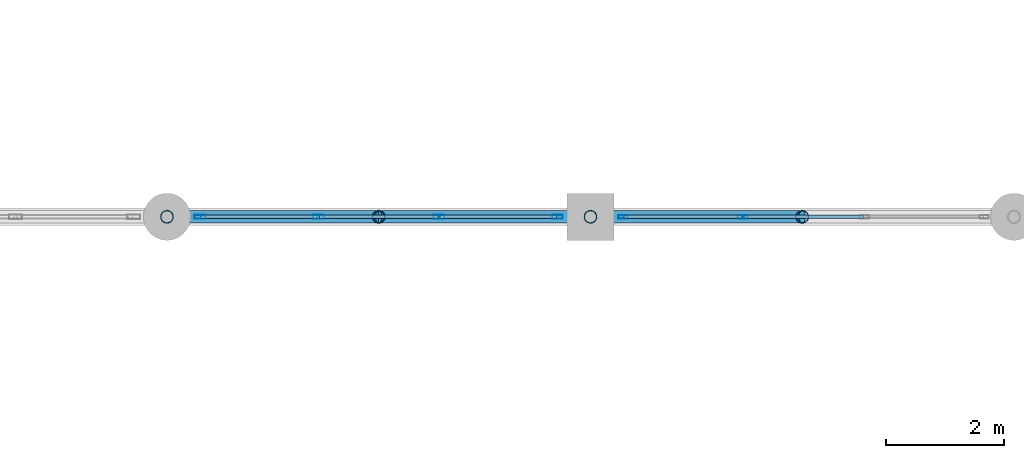
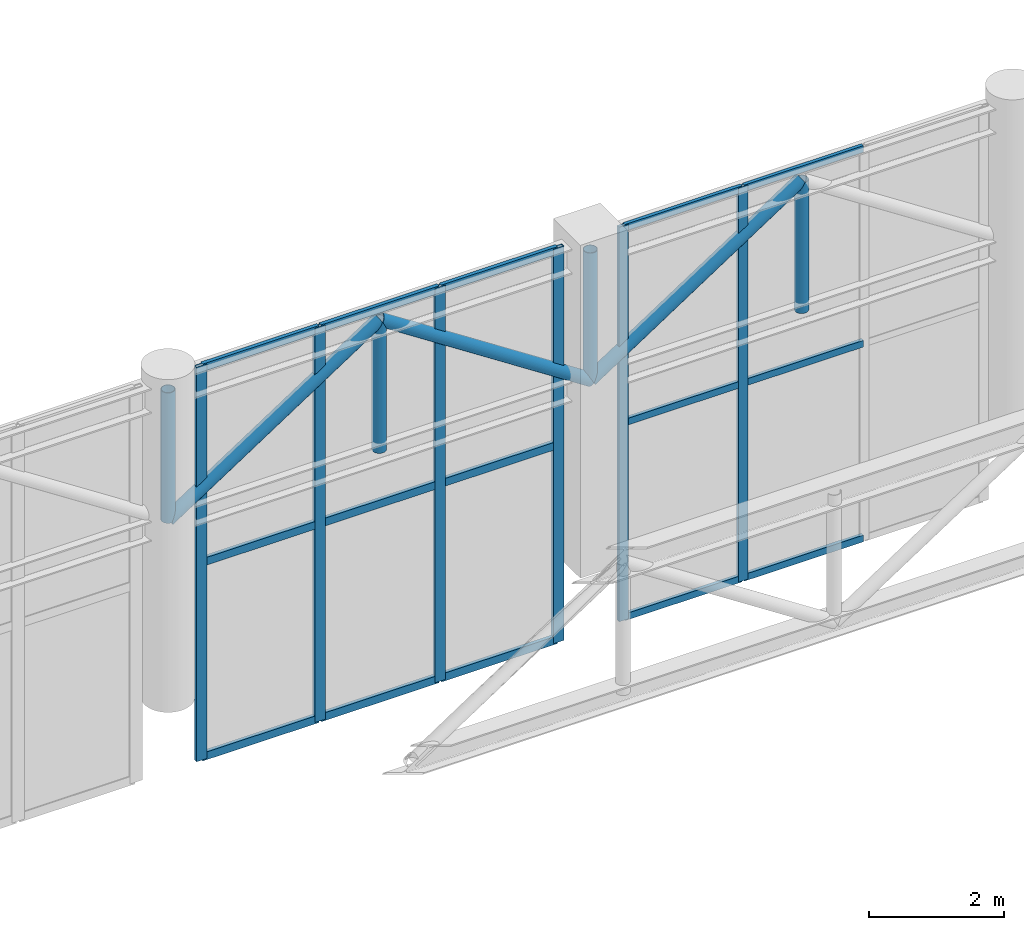
# One storey, part 104 of 153: 28 members, 2 elements without a shape of their own.
"""IFC4 building model written with IfcOpenShell, lengths in metres."""

from ifc_helpers import new_model, si_unit, direction, frame, origin, origin_2d, place, context, subcontext, project, spatial, hollow_rectangle, hollow_circle, extrude, material, material_profile, profile_set, type_object, element, aggregate, save


model = new_model("IFC4")

# Units and contexts
model_context = context("Model", 3, precision=1e-05, world=origin(), true_north=direction((0.0, 1.0)))
body_context = subcontext(model_context, "Body", "Model", "MODEL_VIEW")
ifc_project = project(units=[si_unit("LENGTHUNIT", "METRE"), si_unit("AREAUNIT", "SQUARE_METRE"), si_unit("VOLUMEUNIT", "CUBIC_METRE"), si_unit("PLANEANGLEUNIT", "RADIAN"), si_unit("MASSUNIT", "GRAM", prefix="KILO")], contexts=[model_context])

# Site, building, storey
site_placement = place(None, origin())
site = spatial("IfcSite", under=ifc_project, at=site_placement, CompositionType="ELEMENT")
building_placement = place(site_placement, origin())
building = spatial("IfcBuilding", under=site, at=building_placement, Name="Qandorah Velis Arena", CompositionType="ELEMENT")
storey_placement = place(building_placement, frame((0.0, 0.0, 5.39990234375)))
storey = spatial("IfcBuildingStorey", under=building, at=storey_placement, Name="L01", CompositionType="ELEMENT", Elevation=5.39990234375)

# Curtain wall, members
ifc_material_1 = material(Name="Solar-control low-E double glazing", Category="glass")
curtain_wall_type_1 = type_object("IfcCurtainWallType", Name="ARC-CW-SYS19", PredefinedType="USERDEFINED", material=ifc_material_1)
curtain_wall_1_placement = place(storey_placement, origin())
curtain_wall_1 = element("IfcCurtainWall", 1, at=curtain_wall_1_placement, inside=storey, type_object=curtain_wall_type_1, Name="Unitised curtain wall L01-163", ObjectType="UNITISED CURTAIN WALL", PredefinedType="USERDEFINED")
ifc_material_2 = material(Name="Champagne-bronze anodized aluminium 6063-T6", Category="aluminium")
ifc_material_profile_1 = material_profile(ifc_material_2, hollow_rectangle(XDim=0.06005859375, YDim=0.159912109375, WallThickness=0.00341796875, at=origin_2d()), Name="ALU MULLION 60x160")
ifc_profile_set_1 = profile_set([ifc_material_profile_1], Name="Champagne-bronze anodized aluminium 6063-T6")
member_type_1 = type_object("IfcMemberType", Name="ARC-CWM-160", PredefinedType="MULLION", material=ifc_profile_set_1)
member_1_placement = place(storey_placement, frame((151.7548828125, 122.39990234375, -1.31494140625), z_axis=(0.0, 0.0, 1.0), x_axis=(0.0, 1.0, 0.0)))
member_1 = element("IfcMember", 2, at=member_1_placement, type_object=member_type_1, Name="CW19 mullion 1", PredefinedType="MULLION", context=body_context, shape_type="SweptSolid", body=[
    extrude(hollow_rectangle(XDim=0.06005859375, YDim=0.159912109375, WallThickness=0.00341796875, at=origin_2d()), origin(), (0.0, 0.0, 1.0), 7.110107421875),
])
member_2_placement = place(storey_placement, frame((153.791748046875, 122.39990234375, -1.31494140625), z_axis=(0.0, 0.0, 1.0), x_axis=(0.0, 1.0, 0.0)))
member_2 = element("IfcMember", 3, at=member_2_placement, type_object=member_type_1, Name="CW19 mullion 2", PredefinedType="MULLION", context=body_context, shape_type="SweptSolid", body=[
    extrude(hollow_rectangle(XDim=0.06005859375, YDim=0.159912109375, WallThickness=0.00341796875, at=origin_2d()), origin(), (0.0, 0.0, 1.0), 7.110107421875),
])

curtain_wall_type_2 = type_object("IfcCurtainWallType", Name="ARC-CW-SYS18", PredefinedType="USERDEFINED", material=ifc_material_1)
curtain_wall_2_placement = place(storey_placement, origin())
curtain_wall_2 = element("IfcCurtainWall", 4, at=curtain_wall_2_placement, inside=storey, type_object=curtain_wall_type_2, Name="Unitised curtain wall L01-162", ObjectType="UNITISED CURTAIN WALL", PredefinedType="USERDEFINED")
ifc_material_profile_2 = material_profile(ifc_material_2, hollow_rectangle(XDim=0.06494140625, YDim=0.179931640625, WallThickness=0.00341796875, at=origin_2d()), Name="ALU MULLION 65x180")
ifc_profile_set_2 = profile_set([ifc_material_profile_2], Name="Champagne-bronze anodized aluminium 6063-T6")
member_type_2 = type_object("IfcMemberType", Name="ARC-CWM-180", PredefinedType="MULLION", material=ifc_profile_set_2)
member_3_placement = place(storey_placement, frame((144.5576171875, 122.39990234375, -1.31494140625), z_axis=(0.0, 0.0, 1.0), x_axis=(0.0, 1.0, 0.0)))
member_3 = element("IfcMember", 5, at=member_3_placement, type_object=member_type_2, Name="CW18 mullion 1", PredefinedType="MULLION", context=body_context, shape_type="SweptSolid", body=[
    extrude(hollow_rectangle(XDim=0.06494140625, YDim=0.179931640625, WallThickness=0.00341796875, at=origin_2d()), origin(), (0.0, 0.0, 1.0), 7.110107421875),
])
member_4_placement = place(storey_placement, frame((146.574951171875, 122.39990234375, -1.31494140625), z_axis=(0.0, 0.0, 1.0), x_axis=(0.0, 1.0, 0.0)))
member_4 = element("IfcMember", 6, at=member_4_placement, type_object=member_type_2, Name="CW18 mullion 2", PredefinedType="MULLION", context=body_context, shape_type="SweptSolid", body=[
    extrude(hollow_rectangle(XDim=0.06494140625, YDim=0.179931640625, WallThickness=0.00341796875, at=origin_2d()), origin(), (0.0, 0.0, 1.0), 7.110107421875),
])
member_5_placement = place(storey_placement, frame((148.625, 122.39990234375, -1.31494140625), z_axis=(0.0, 0.0, 1.0), x_axis=(0.0, 1.0, 0.0)))
member_5 = element("IfcMember", 7, at=member_5_placement, type_object=member_type_2, Name="CW18 mullion 3", PredefinedType="MULLION", context=body_context, shape_type="SweptSolid", body=[
    extrude(hollow_rectangle(XDim=0.06494140625, YDim=0.179931640625, WallThickness=0.00341796875, at=origin_2d()), origin(), (0.0, 0.0, 1.0), 7.110107421875),
])
member_6_placement = place(storey_placement, frame((150.642578125, 122.39990234375, -1.31494140625), z_axis=(0.0, 0.0, 1.0), x_axis=(0.0, 1.0, 0.0)))
member_6 = element("IfcMember", 8, at=member_6_placement, type_object=member_type_2, Name="CW18 mullion 4", PredefinedType="MULLION", context=body_context, shape_type="SweptSolid", body=[
    extrude(hollow_rectangle(XDim=0.06494140625, YDim=0.179931640625, WallThickness=0.00341796875, at=origin_2d()), origin(), (0.0, 0.0, 1.0), 7.110107421875),
])

# Member
ifc_material_profile_3 = material_profile(ifc_material_2, hollow_rectangle(XDim=0.06005859375, YDim=0.1201171875, WallThickness=0.0029296875, at=origin_2d()), Name="ALU TRANSOM 60x120")
ifc_profile_set_3 = profile_set([ifc_material_profile_3], Name="Champagne-bronze anodized aluminium 6063-T6")
member_type_3 = type_object("IfcMemberType", Name="ARC-CWT-120", PredefinedType="USERDEFINED", material=ifc_profile_set_3)
member_7_placement = place(storey_placement, frame((151.77294921875, 122.39990234375, -1.27001953125), z_axis=(1.0, 0.0, 0.0), x_axis=(0.0, 1.0, 0.0)))
member_7 = element("IfcMember", 9, at=member_7_placement, type_object=member_type_3, Name="CW19 transom 1.1", ObjectType="TRANSOM", PredefinedType="USERDEFINED", context=body_context, shape_type="SweptSolid", body=[
    extrude(hollow_rectangle(XDim=0.06005859375, YDim=0.1201171875, WallThickness=0.0029296875, at=origin_2d()), origin(), (0.0, 0.0, 1.0), 2.000732421875),
])

member_8_placement = place(storey_placement, frame((151.77294921875, 122.39990234375, 2.239990234375), z_axis=(1.0, 0.0, 0.0), x_axis=(0.0, 1.0, 0.0)))
member_8 = element("IfcMember", 10, at=member_8_placement, type_object=member_type_3, Name="CW19 transom 1.2", ObjectType="TRANSOM", PredefinedType="USERDEFINED", context=body_context, shape_type="SweptSolid", body=[
    extrude(hollow_rectangle(XDim=0.06005859375, YDim=0.1201171875, WallThickness=0.0029296875, at=origin_2d()), origin(), (0.0, 0.0, 1.0), 2.000732421875),
])

member_9_placement = place(storey_placement, frame((151.77294921875, 122.39990234375, 5.75), z_axis=(1.0, 0.0, 0.0), x_axis=(0.0, 1.0, 0.0)))
member_9 = element("IfcMember", 11, at=member_9_placement, type_object=member_type_3, Name="CW19 transom 1.3", ObjectType="TRANSOM", PredefinedType="USERDEFINED", context=body_context, shape_type="SweptSolid", body=[
    extrude(hollow_rectangle(XDim=0.06005859375, YDim=0.1201171875, WallThickness=0.0029296875, at=origin_2d()), origin(), (0.0, 0.0, 1.0), 2.000732421875),
])

member_10_placement = place(storey_placement, frame((153.809814453125, 122.39990234375, -1.27001953125), z_axis=(1.0, 0.0, 0.0), x_axis=(0.0, 1.0, 0.0)))
member_10 = element("IfcMember", 12, at=member_10_placement, type_object=member_type_3, Name="CW19 transom 2.1", ObjectType="TRANSOM", PredefinedType="USERDEFINED", context=body_context, shape_type="SweptSolid", body=[
    extrude(hollow_rectangle(XDim=0.06005859375, YDim=0.1201171875, WallThickness=0.0029296875, at=origin_2d()), origin(), (0.0, 0.0, 1.0), 2.030517578125),
])

member_11_placement = place(storey_placement, frame((153.809814453125, 122.39990234375, 2.239990234375), z_axis=(1.0, 0.0, 0.0), x_axis=(0.0, 1.0, 0.0)))
member_11 = element("IfcMember", 13, at=member_11_placement, type_object=member_type_3, Name="CW19 transom 2.2", ObjectType="TRANSOM", PredefinedType="USERDEFINED", context=body_context, shape_type="SweptSolid", body=[
    extrude(hollow_rectangle(XDim=0.06005859375, YDim=0.1201171875, WallThickness=0.0029296875, at=origin_2d()), origin(), (0.0, 0.0, 1.0), 2.030517578125),
])

member_12_placement = place(storey_placement, frame((153.809814453125, 122.39990234375, 5.75), z_axis=(1.0, 0.0, 0.0), x_axis=(0.0, 1.0, 0.0)))
member_12 = element("IfcMember", 14, at=member_12_placement, type_object=member_type_3, Name="CW19 transom 2.3", ObjectType="TRANSOM", PredefinedType="USERDEFINED", context=body_context, shape_type="SweptSolid", body=[
    extrude(hollow_rectangle(XDim=0.06005859375, YDim=0.1201171875, WallThickness=0.0029296875, at=origin_2d()), origin(), (0.0, 0.0, 1.0), 2.030517578125),
])

aggregate(curtain_wall_1, [member_1, member_2, member_7, member_8, member_9, member_10, member_11, member_12])

ifc_material_profile_4 = material_profile(ifc_material_2, hollow_rectangle(XDim=0.06494140625, YDim=0.139892578125, WallThickness=0.0029296875, at=origin_2d()), Name="ALU TRANSOM 65x140")
ifc_profile_set_4 = profile_set([ifc_material_profile_4], Name="Champagne-bronze anodized aluminium 6063-T6")
member_type_4 = type_object("IfcMemberType", Name="ARC-CWT-140", PredefinedType="USERDEFINED", material=ifc_profile_set_4)
member_13_placement = place(storey_placement, frame((144.577880859375, 122.39990234375, -1.267333984375), z_axis=(1.0, 0.0, 0.0), x_axis=(0.0, 1.0, 0.0)))
member_13 = element("IfcMember", 15, at=member_13_placement, type_object=member_type_4, Name="CW18 transom 1.1", ObjectType="TRANSOM", PredefinedType="USERDEFINED", context=body_context, shape_type="SweptSolid", body=[
    extrude(hollow_rectangle(XDim=0.06494140625, YDim=0.139892578125, WallThickness=0.0029296875, at=origin_2d()), origin(), (0.0, 0.0, 1.0), 1.9765625),
])

member_14_placement = place(storey_placement, frame((144.577880859375, 122.39990234375, 2.239990234375), z_axis=(1.0, 0.0, 0.0), x_axis=(0.0, 1.0, 0.0)))
member_14 = element("IfcMember", 16, at=member_14_placement, type_object=member_type_4, Name="CW18 transom 1.2", ObjectType="TRANSOM", PredefinedType="USERDEFINED", context=body_context, shape_type="SweptSolid", body=[
    extrude(hollow_rectangle(XDim=0.06494140625, YDim=0.139892578125, WallThickness=0.0029296875, at=origin_2d()), origin(), (0.0, 0.0, 1.0), 1.9765625),
])

member_15_placement = place(storey_placement, frame((144.577880859375, 122.39990234375, 5.74755859375), z_axis=(1.0, 0.0, 0.0), x_axis=(0.0, 1.0, 0.0)))
member_15 = element("IfcMember", 17, at=member_15_placement, type_object=member_type_4, Name="CW18 transom 1.3", ObjectType="TRANSOM", PredefinedType="USERDEFINED", context=body_context, shape_type="SweptSolid", body=[
    extrude(hollow_rectangle(XDim=0.06494140625, YDim=0.139892578125, WallThickness=0.0029296875, at=origin_2d()), origin(), (0.0, 0.0, 1.0), 1.9765625),
])

member_16_placement = place(storey_placement, frame((146.595458984375, 122.39990234375, -1.267333984375), z_axis=(1.0, 0.0, 0.0), x_axis=(0.0, 1.0, 0.0)))
member_16 = element("IfcMember", 18, at=member_16_placement, type_object=member_type_4, Name="CW18 transom 2.1", ObjectType="TRANSOM", PredefinedType="USERDEFINED", context=body_context, shape_type="SweptSolid", body=[
    extrude(hollow_rectangle(XDim=0.06494140625, YDim=0.139892578125, WallThickness=0.0029296875, at=origin_2d()), origin(), (0.0, 0.0, 1.0), 2.009033203125),
])

member_17_placement = place(storey_placement, frame((146.595458984375, 122.39990234375, 2.239990234375), z_axis=(1.0, 0.0, 0.0), x_axis=(0.0, 1.0, 0.0)))
member_17 = element("IfcMember", 19, at=member_17_placement, type_object=member_type_4, Name="CW18 transom 2.2", ObjectType="TRANSOM", PredefinedType="USERDEFINED", context=body_context, shape_type="SweptSolid", body=[
    extrude(hollow_rectangle(XDim=0.06494140625, YDim=0.139892578125, WallThickness=0.0029296875, at=origin_2d()), origin(), (0.0, 0.0, 1.0), 2.009033203125),
])

member_18_placement = place(storey_placement, frame((146.595458984375, 122.39990234375, 5.74755859375), z_axis=(1.0, 0.0, 0.0), x_axis=(0.0, 1.0, 0.0)))
member_18 = element("IfcMember", 20, at=member_18_placement, type_object=member_type_4, Name="CW18 transom 2.3", ObjectType="TRANSOM", PredefinedType="USERDEFINED", context=body_context, shape_type="SweptSolid", body=[
    extrude(hollow_rectangle(XDim=0.06494140625, YDim=0.139892578125, WallThickness=0.0029296875, at=origin_2d()), origin(), (0.0, 0.0, 1.0), 2.009033203125),
])

member_19_placement = place(storey_placement, frame((148.6455078125, 122.39990234375, -1.267333984375), z_axis=(1.0, 0.0, 0.0), x_axis=(0.0, 1.0, 0.0)))
member_19 = element("IfcMember", 21, at=member_19_placement, type_object=member_type_4, Name="CW18 transom 3.1", ObjectType="TRANSOM", PredefinedType="USERDEFINED", context=body_context, shape_type="SweptSolid", body=[
    extrude(hollow_rectangle(XDim=0.06494140625, YDim=0.139892578125, WallThickness=0.0029296875, at=origin_2d()), origin(), (0.0, 0.0, 1.0), 1.9765625),
])

member_20_placement = place(storey_placement, frame((148.6455078125, 122.39990234375, 2.239990234375), z_axis=(1.0, 0.0, 0.0), x_axis=(0.0, 1.0, 0.0)))
member_20 = element("IfcMember", 22, at=member_20_placement, type_object=member_type_4, Name="CW18 transom 3.2", ObjectType="TRANSOM", PredefinedType="USERDEFINED", context=body_context, shape_type="SweptSolid", body=[
    extrude(hollow_rectangle(XDim=0.06494140625, YDim=0.139892578125, WallThickness=0.0029296875, at=origin_2d()), origin(), (0.0, 0.0, 1.0), 1.9765625),
])

member_21_placement = place(storey_placement, frame((148.6455078125, 122.39990234375, 5.74755859375), z_axis=(1.0, 0.0, 0.0), x_axis=(0.0, 1.0, 0.0)))
member_21 = element("IfcMember", 23, at=member_21_placement, type_object=member_type_4, Name="CW18 transom 3.3", ObjectType="TRANSOM", PredefinedType="USERDEFINED", context=body_context, shape_type="SweptSolid", body=[
    extrude(hollow_rectangle(XDim=0.06494140625, YDim=0.139892578125, WallThickness=0.0029296875, at=origin_2d()), origin(), (0.0, 0.0, 1.0), 1.9765625),
])

aggregate(curtain_wall_2, [member_3, member_4, member_5, member_6, member_13, member_14, member_15, member_16, member_17, member_18, member_19, member_20, member_21])

# Members
ifc_material_3 = material(Name="Steel S355", Category="steel")
ifc_material_profile_5 = material_profile(ifc_material_3, hollow_circle(Radius=0.109619140625, WallThickness=0.010009765625, at=origin_2d()), Name="CHS 219.1x10")
ifc_profile_set_5 = profile_set([ifc_material_profile_5], Name="Steel S355")
member_type_5 = type_object("IfcMemberType", Name="STR-SFD-CHS219X10", PredefinedType="STRUT", material=ifc_profile_set_5)
member_22_placement = place(storey_placement, frame((144.0, 122.39990234375, 3.205078125), z_axis=(0.0, 0.0, 1.0), x_axis=(1.0, 0.0, 0.0)))
element("IfcMember", 24, at=member_22_placement, inside=storey, type_object=member_type_5, Name="Practice court roof truss 5 vertical 7", PredefinedType="STRUT", context=body_context, shape_type="SweptSolid", body=[
    extrude(hollow_circle(Radius=0.109619140625, WallThickness=0.010009765625, at=origin_2d()), origin(), (0.0, 0.0, 1.0), 2.35009765625),
])
member_23_placement = place(storey_placement, frame((144.0, 122.39990234375, 3.205078125), z_axis=(0.837375540217, 0.0, 0.546628031339), x_axis=(0.0, 1.0, 0.0)))
element("IfcMember", 25, at=member_23_placement, inside=storey, type_object=member_type_5, Name="Practice court roof truss 5 web diagonal 7", PredefinedType="STRUT", context=body_context, shape_type="SweptSolid", body=[
    extrude(hollow_circle(Radius=0.109619140625, WallThickness=0.010009765625, at=origin_2d()), origin(), (0.0, 0.0, 1.0), 4.29931640625),
])
member_24_placement = place(storey_placement, frame((147.60009765625, 122.39990234375, 3.205078125), z_axis=(0.0, 0.0, 1.0), x_axis=(1.0, 0.0, 0.0)))
element("IfcMember", 26, at=member_24_placement, inside=storey, type_object=member_type_5, Name="Practice court roof truss 5 vertical 8", PredefinedType="STRUT", context=body_context, shape_type="SweptSolid", body=[
    extrude(hollow_circle(Radius=0.109619140625, WallThickness=0.010009765625, at=origin_2d()), origin(), (0.0, 0.0, 1.0), 2.35009765625),
])
member_25_placement = place(storey_placement, frame((147.60009765625, 122.39990234375, 5.55517578125), z_axis=(0.837358571039, 0.0, -0.54665402542), x_axis=(0.0, 1.0, 0.0)))
element("IfcMember", 27, at=member_25_placement, inside=storey, type_object=member_type_5, Name="Practice court roof truss 5 web diagonal 8", PredefinedType="STRUT", context=body_context, shape_type="SweptSolid", body=[
    extrude(hollow_circle(Radius=0.109619140625, WallThickness=0.010009765625, at=origin_2d()), origin(), (0.0, 0.0, 1.0), 4.299072265625),
])
member_26_placement = place(storey_placement, frame((151.199951171875, 122.39990234375, 3.205078125), z_axis=(0.0, 0.0, 1.0), x_axis=(1.0, 0.0, 0.0)))
element("IfcMember", 28, at=member_26_placement, inside=storey, type_object=member_type_5, Name="Practice court roof truss 5 vertical 9", PredefinedType="STRUT", context=body_context, shape_type="SweptSolid", body=[
    extrude(hollow_circle(Radius=0.109619140625, WallThickness=0.010009765625, at=origin_2d()), origin(), (0.0, 0.0, 1.0), 2.35009765625),
])
member_27_placement = place(storey_placement, frame((151.199951171875, 122.39990234375, 3.205078125), z_axis=(0.837375540217, 0.0, 0.546628031339), x_axis=(0.0, 1.0, 0.0)))
element("IfcMember", 29, at=member_27_placement, inside=storey, type_object=member_type_5, Name="Practice court roof truss 5 web diagonal 9", PredefinedType="STRUT", context=body_context, shape_type="SweptSolid", body=[
    extrude(hollow_circle(Radius=0.109619140625, WallThickness=0.010009765625, at=origin_2d()), origin(), (0.0, 0.0, 1.0), 4.29931640625),
])
member_28_placement = place(storey_placement, frame((154.800048828125, 122.39990234375, 3.205078125), z_axis=(0.0, 0.0, 1.0), x_axis=(1.0, 0.0, 0.0)))
element("IfcMember", 30, at=member_28_placement, inside=storey, type_object=member_type_5, Name="Practice court roof truss 5 vertical 10", PredefinedType="STRUT", context=body_context, shape_type="SweptSolid", body=[
    extrude(hollow_circle(Radius=0.109619140625, WallThickness=0.010009765625, at=origin_2d()), origin(), (0.0, 0.0, 1.0), 2.35009765625),
])

save(model, "model.ifc")
